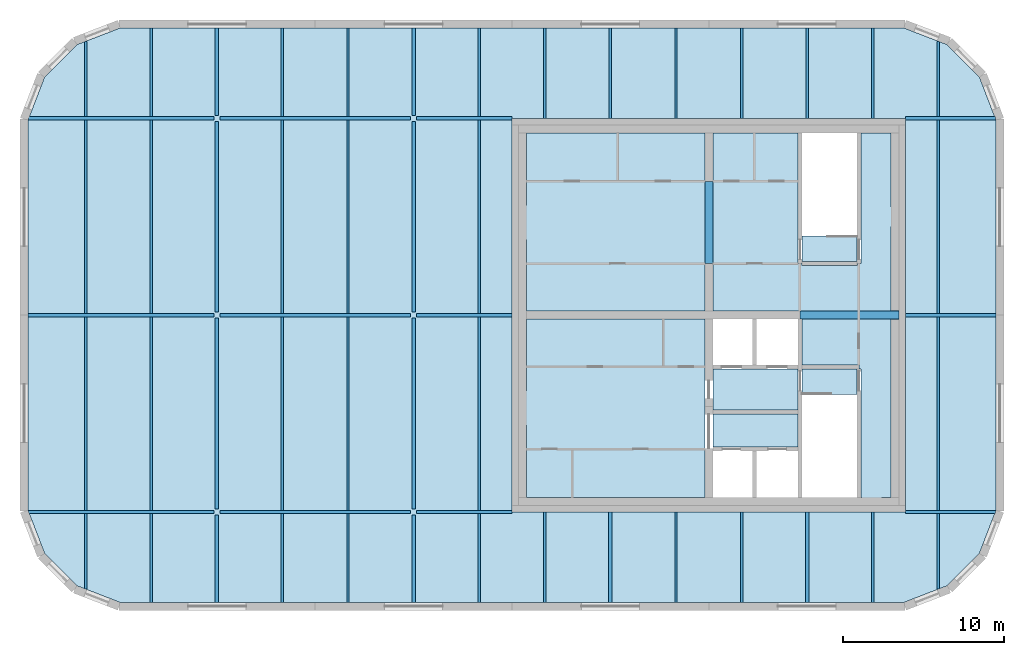
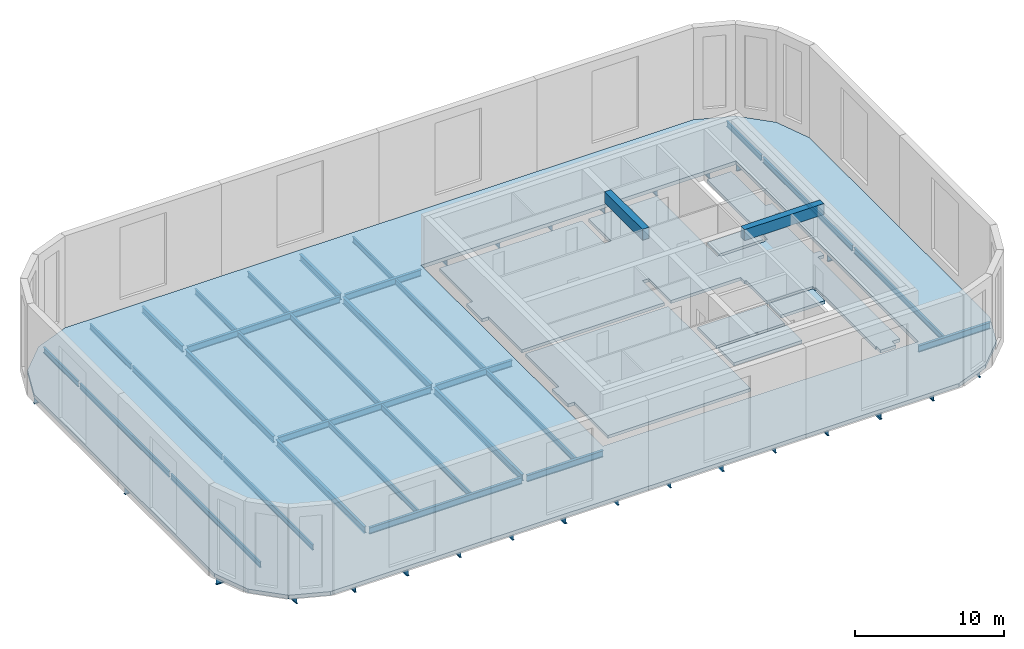
# One storey, part 1 of 6: 58 beams, 7 slabs.
"""IFC4 building model written with IfcOpenShell, lengths in metres."""

from ifc_helpers import new_model, si_unit, direction, frame, origin, origin_2d, place, context, subcontext, project, spatial, polyline, rectangle, i_section, outline, extrude, material, layer, layer_set, material_profile, profile_set, type_object, element, save


model = new_model("IFC4")

# Units and contexts
model_context = context("Model", 3, precision=1e-05, world=origin(), true_north=direction((0.0, 1.0)))
body_context = subcontext(model_context, "Body", "Model", "MODEL_VIEW")
ifc_project = project(units=[si_unit("LENGTHUNIT", "METRE"), si_unit("AREAUNIT", "SQUARE_METRE"), si_unit("VOLUMEUNIT", "CUBIC_METRE"), si_unit("PLANEANGLEUNIT", "RADIAN"), si_unit("MASSUNIT", "GRAM", prefix="KILO")], contexts=[model_context])

# Site, building, storey
site_placement = place(None, origin())
site = spatial("IfcSite", under=ifc_project, at=site_placement, CompositionType="ELEMENT")
building_placement = place(site_placement, origin())
building = spatial("IfcBuilding", under=site, at=building_placement, Name="Tessera Gate Towers", CompositionType="ELEMENT")
storey_placement = place(building_placement, frame((0.0, 0.0, 265.699951171875)))
storey = spatial("IfcBuildingStorey", under=building, at=storey_placement, Name="L66", CompositionType="ELEMENT", Elevation=265.699951171875)

# Beams
ifc_material_1 = material(Name="Concrete C40/50", Category="concrete")
ifc_material_profile_1 = material_profile(ifc_material_1, rectangle(XDim=0.5, YDim=0.89990234375, at=origin_2d()), Name="RC 500x900")
ifc_profile_set_1 = profile_set([ifc_material_profile_1], Name="Concrete C40/50")
beam_type_1 = type_object("IfcBeamType", Name="COUPLING BEAM 500x900 C40/50", PredefinedType="BEAM", material=ifc_profile_set_1)
beam_1_placement = place(storey_placement, frame((48.35009765625, 36.60009765625, 3.75), z_axis=(1.0, 0.0, 0.0), x_axis=(0.0, 1.0, 0.0)))
element("IfcBeam", 1, at=beam_1_placement, inside=storey, type_object=beam_type_1, Name="L66 coupling beam 1", PredefinedType="BEAM", context=body_context, shape_type="SweptSolid", body=[
    extrude(rectangle(XDim=0.5, YDim=0.89990234375, at=origin_2d()), origin(), (0.0, 0.0, 1.0), 6.14990234375),
])
beam_2_placement = place(storey_placement, frame((42.699951171875, 39.800048828125, 3.75), z_axis=(0.0, 1.0, 0.0), x_axis=(-1.0, 0.0, 0.0)))
element("IfcBeam", 2, at=beam_2_placement, inside=storey, type_object=beam_type_1, Name="L66 coupling beam 2", PredefinedType="BEAM", context=body_context, shape_type="SweptSolid", body=[
    extrude(rectangle(XDim=0.5, YDim=0.89990234375, at=origin_2d()), origin(), (0.0, 0.0, 1.0), 5.099853515625),
])
ifc_material_2 = material(Name="Steel 350W", Category="steel")
ifc_material_profile_2 = material_profile(ifc_material_2, i_section(OverallWidth=0.208984375, OverallDepth=0.532958984375, WebThickness=0.01025390625, FlangeThickness=0.015625, at=origin_2d()), Name="W530x92")
ifc_profile_set_2 = profile_set([ifc_material_profile_2], Name="Steel 350W")
beam_type_2 = type_object("IfcBeamType", Name="FLOOR GIRDER W530x92", PredefinedType="BEAM", material=ifc_profile_set_2)
beam_3_placement = place(storey_placement, frame((0.534912109375, 24.39990234375, -0.56640625), z_axis=(1.0, 0.0, 0.0), x_axis=(0.0, 1.0, 0.0)))
element("IfcBeam", 3, at=beam_3_placement, inside=storey, type_object=beam_type_2, Name="T1-R-GD-L66-6369", PredefinedType="BEAM", context=body_context, shape_type="SweptSolid", body=[
    extrude(i_section(OverallWidth=0.208984375, OverallDepth=0.532958984375, WebThickness=0.01025390625, FlangeThickness=0.015625, at=origin_2d()), origin(), (0.0, 0.0, 1.0), 11.48046875),
])
beam_4_placement = place(storey_placement, frame((12.384521484375, 24.39990234375, -0.56640625), z_axis=(1.0, 0.0, 0.0), x_axis=(0.0, 1.0, 0.0)))
element("IfcBeam", 4, at=beam_4_placement, inside=storey, type_object=beam_type_2, Name="T1-R-GD-L66-6370", PredefinedType="BEAM", context=body_context, shape_type="SweptSolid", body=[
    extrude(i_section(OverallWidth=0.208984375, OverallDepth=0.532958984375, WebThickness=0.01025390625, FlangeThickness=0.015625, at=origin_2d()), origin(), (0.0, 0.0, 1.0), 11.8310546875),
])
beam_5_placement = place(storey_placement, frame((24.58447265625, 24.39990234375, -0.56640625), z_axis=(1.0, 0.0, 0.0), x_axis=(0.0, 1.0, 0.0)))
element("IfcBeam", 5, at=beam_5_placement, inside=storey, type_object=beam_type_2, Name="T1-R-GD-L66-6371", PredefinedType="BEAM", context=body_context, shape_type="SweptSolid", body=[
    extrude(i_section(OverallWidth=0.208984375, OverallDepth=0.532958984375, WebThickness=0.01025390625, FlangeThickness=0.015625, at=origin_2d()), origin(), (0.0, 0.0, 1.0), 5.91455078125),
])
beam_6_placement = place(storey_placement, frame((54.90087890625, 24.39990234375, -0.56640625), z_axis=(1.0, 0.0, 0.0), x_axis=(0.0, 1.0, 0.0)))
element("IfcBeam", 6, at=beam_6_placement, inside=storey, type_object=beam_type_2, Name="T1-R-GD-L66-6372", PredefinedType="BEAM", context=body_context, shape_type="SweptSolid", body=[
    extrude(i_section(OverallWidth=0.208984375, OverallDepth=0.532958984375, WebThickness=0.01025390625, FlangeThickness=0.015625, at=origin_2d()), origin(), (0.0, 0.0, 1.0), 5.564208984375),
])
beam_7_placement = place(storey_placement, frame((0.4990234375, 36.60009765625, -0.56640625), z_axis=(1.0, 0.0, 0.0), x_axis=(0.0, 1.0, 0.0)))
element("IfcBeam", 7, at=beam_7_placement, inside=storey, type_object=beam_type_2, Name="T1-R-GD-L66-6373", PredefinedType="BEAM", context=body_context, shape_type="SweptSolid", body=[
    extrude(i_section(OverallWidth=0.208984375, OverallDepth=0.532958984375, WebThickness=0.01025390625, FlangeThickness=0.015625, at=origin_2d()), origin(), (0.0, 0.0, 1.0), 11.516357421875),
])
beam_8_placement = place(storey_placement, frame((12.384521484375, 36.60009765625, -0.56640625), z_axis=(1.0, 0.0, 0.0), x_axis=(0.0, 1.0, 0.0)))
element("IfcBeam", 8, at=beam_8_placement, inside=storey, type_object=beam_type_2, Name="T1-R-GD-L66-6374", PredefinedType="BEAM", context=body_context, shape_type="SweptSolid", body=[
    extrude(i_section(OverallWidth=0.208984375, OverallDepth=0.532958984375, WebThickness=0.01025390625, FlangeThickness=0.015625, at=origin_2d()), origin(), (0.0, 0.0, 1.0), 11.8310546875),
])
beam_9_placement = place(storey_placement, frame((24.58447265625, 36.60009765625, -0.56640625), z_axis=(1.0, 0.0, 0.0), x_axis=(0.0, 1.0, 0.0)))
element("IfcBeam", 9, at=beam_9_placement, inside=storey, type_object=beam_type_2, Name="T1-R-GD-L66-6375", PredefinedType="BEAM", context=body_context, shape_type="SweptSolid", body=[
    extrude(i_section(OverallWidth=0.208984375, OverallDepth=0.532958984375, WebThickness=0.01025390625, FlangeThickness=0.015625, at=origin_2d()), origin(), (0.0, 0.0, 1.0), 5.91650390625),
])
beam_10_placement = place(storey_placement, frame((54.89892578125, 36.60009765625, -0.56640625), z_axis=(1.0, 0.0, 0.0), x_axis=(0.0, 1.0, 0.0)))
element("IfcBeam", 10, at=beam_10_placement, inside=storey, type_object=beam_type_2, Name="T1-R-GD-L66-6376", PredefinedType="BEAM", context=body_context, shape_type="SweptSolid", body=[
    extrude(i_section(OverallWidth=0.208984375, OverallDepth=0.532958984375, WebThickness=0.01025390625, FlangeThickness=0.015625, at=origin_2d()), origin(), (0.0, 0.0, 1.0), 5.60205078125),
])
beam_11_placement = place(storey_placement, frame((0.534912109375, 48.800048828125, -0.56640625), z_axis=(1.0, 0.0, 0.0), x_axis=(0.0, 1.0, 0.0)))
element("IfcBeam", 11, at=beam_11_placement, inside=storey, type_object=beam_type_2, Name="T1-R-GD-L66-6377", PredefinedType="BEAM", context=body_context, shape_type="SweptSolid", body=[
    extrude(i_section(OverallWidth=0.208984375, OverallDepth=0.532958984375, WebThickness=0.01025390625, FlangeThickness=0.015625, at=origin_2d()), origin(), (0.0, 0.0, 1.0), 11.48046875),
])
beam_12_placement = place(storey_placement, frame((12.384521484375, 48.800048828125, -0.56640625), z_axis=(1.0, 0.0, 0.0), x_axis=(0.0, 1.0, 0.0)))
element("IfcBeam", 12, at=beam_12_placement, inside=storey, type_object=beam_type_2, Name="T1-R-GD-L66-6378", PredefinedType="BEAM", context=body_context, shape_type="SweptSolid", body=[
    extrude(i_section(OverallWidth=0.208984375, OverallDepth=0.532958984375, WebThickness=0.01025390625, FlangeThickness=0.015625, at=origin_2d()), origin(), (0.0, 0.0, 1.0), 11.8310546875),
])
beam_13_placement = place(storey_placement, frame((24.58447265625, 48.800048828125, -0.56640625), z_axis=(1.0, 0.0, 0.0), x_axis=(0.0, 1.0, 0.0)))
element("IfcBeam", 13, at=beam_13_placement, inside=storey, type_object=beam_type_2, Name="T1-R-GD-L66-6379", PredefinedType="BEAM", context=body_context, shape_type="SweptSolid", body=[
    extrude(i_section(OverallWidth=0.208984375, OverallDepth=0.532958984375, WebThickness=0.01025390625, FlangeThickness=0.015625, at=origin_2d()), origin(), (0.0, 0.0, 1.0), 5.91455078125),
])
beam_14_placement = place(storey_placement, frame((54.90087890625, 48.800048828125, -0.56640625), z_axis=(1.0, 0.0, 0.0), x_axis=(0.0, 1.0, 0.0)))
element("IfcBeam", 14, at=beam_14_placement, inside=storey, type_object=beam_type_2, Name="T1-R-GD-L66-6380", PredefinedType="BEAM", context=body_context, shape_type="SweptSolid", body=[
    extrude(i_section(OverallWidth=0.208984375, OverallDepth=0.532958984375, WebThickness=0.01025390625, FlangeThickness=0.015625, at=origin_2d()), origin(), (0.0, 0.0, 1.0), 5.564208984375),
])
beam_15_placement = place(storey_placement, frame((12.199951171875, 18.799072265625, -0.56640625), z_axis=(0.0, 1.0, 0.0), x_axis=(-1.0, 0.0, 0.0)))
element("IfcBeam", 15, at=beam_15_placement, inside=storey, type_object=beam_type_2, Name="T1-R-GD-L66-6381", PredefinedType="BEAM", context=body_context, shape_type="SweptSolid", body=[
    extrude(i_section(OverallWidth=0.208984375, OverallDepth=0.532958984375, WebThickness=0.01025390625, FlangeThickness=0.015625, at=origin_2d()), origin(), (0.0, 0.0, 1.0), 5.41650390625),
])
for number, where, z_axis, x_axis, name in (
    (16, (12.199951171875, 24.58447265625, -0.56640625), (0.0, 1.0, 0.0), (-1.0, 0.0, 0.0), "T1-R-GD-L66-6382"),
    (17, (12.199951171875, 36.784423828125, -0.56640625), (0.0, 1.0, 0.0), (-1.0, 0.0, 0.0), "T1-R-GD-L66-6383"),
):
    element("IfcBeam", number, at=place(storey_placement, frame(where, z_axis=z_axis, x_axis=x_axis)), inside=storey, type_object=beam_type_2, Name=name, PredefinedType="BEAM", context=body_context, shape_type="SweptSolid", body=[
        extrude(i_section(OverallWidth=0.208984375, OverallDepth=0.532958984375, WebThickness=0.01025390625, FlangeThickness=0.015625, at=origin_2d()), origin(), (0.0, 0.0, 1.0), 11.8310546875),
    ])
beam_16_placement = place(storey_placement, frame((12.199951171875, 48.984619140625, -0.56640625), z_axis=(0.0, 1.0, 0.0), x_axis=(-1.0, 0.0, 0.0)))
element("IfcBeam", 18, at=beam_16_placement, inside=storey, type_object=beam_type_2, Name="T1-R-GD-L66-6384", PredefinedType="BEAM", context=body_context, shape_type="SweptSolid", body=[
    extrude(i_section(OverallWidth=0.208984375, OverallDepth=0.532958984375, WebThickness=0.01025390625, FlangeThickness=0.015625, at=origin_2d()), origin(), (0.0, 0.0, 1.0), 5.416259765625),
])
beam_17_placement = place(storey_placement, frame((24.39990234375, 18.799072265625, -0.56640625), z_axis=(0.0, 1.0, 0.0), x_axis=(-1.0, 0.0, 0.0)))
element("IfcBeam", 19, at=beam_17_placement, inside=storey, type_object=beam_type_2, Name="T1-R-GD-L66-6385", PredefinedType="BEAM", context=body_context, shape_type="SweptSolid", body=[
    extrude(i_section(OverallWidth=0.208984375, OverallDepth=0.532958984375, WebThickness=0.01025390625, FlangeThickness=0.015625, at=origin_2d()), origin(), (0.0, 0.0, 1.0), 5.41650390625),
])
for number, where, z_axis, x_axis, name in (
    (20, (24.39990234375, 24.58447265625, -0.56640625), (0.0, 1.0, 0.0), (-1.0, 0.0, 0.0), "T1-R-GD-L66-6386"),
    (21, (24.39990234375, 36.784423828125, -0.56640625), (0.0, 1.0, 0.0), (-1.0, 0.0, 0.0), "T1-R-GD-L66-6387"),
):
    element("IfcBeam", number, at=place(storey_placement, frame(where, z_axis=z_axis, x_axis=x_axis)), inside=storey, type_object=beam_type_2, Name=name, PredefinedType="BEAM", context=body_context, shape_type="SweptSolid", body=[
        extrude(i_section(OverallWidth=0.208984375, OverallDepth=0.532958984375, WebThickness=0.01025390625, FlangeThickness=0.015625, at=origin_2d()), origin(), (0.0, 0.0, 1.0), 11.8310546875),
    ])
beam_18_placement = place(storey_placement, frame((24.39990234375, 48.984619140625, -0.56640625), z_axis=(0.0, 1.0, 0.0), x_axis=(-1.0, 0.0, 0.0)))
element("IfcBeam", 22, at=beam_18_placement, inside=storey, type_object=beam_type_2, Name="T1-R-GD-L66-6388", PredefinedType="BEAM", context=body_context, shape_type="SweptSolid", body=[
    extrude(i_section(OverallWidth=0.208984375, OverallDepth=0.532958984375, WebThickness=0.01025390625, FlangeThickness=0.015625, at=origin_2d()), origin(), (0.0, 0.0, 1.0), 5.416259765625),
])
for number, where, z_axis, x_axis, name in (
    (23, (36.60009765625, 18.799072265625, -0.56640625), (0.0, 1.0, 0.0), (-1.0, 0.0, 0.0), "T1-R-GD-L66-6389"),
    (24, (48.800048828125, 18.799072265625, -0.56640625), (0.0, 1.0, 0.0), (-1.0, 0.0, 0.0), "T1-R-GD-L66-6390"),
):
    element("IfcBeam", number, at=place(storey_placement, frame(where, z_axis=z_axis, x_axis=x_axis)), inside=storey, type_object=beam_type_2, Name=name, PredefinedType="BEAM", context=body_context, shape_type="SweptSolid", body=[
        extrude(i_section(OverallWidth=0.208984375, OverallDepth=0.532958984375, WebThickness=0.01025390625, FlangeThickness=0.015625, at=origin_2d()), origin(), (0.0, 0.0, 1.0), 5.600830078125),
    ])
ifc_material_3 = material(Name="Steel 350W", Category="steel")
ifc_material_profile_3 = material_profile(ifc_material_3, i_section(OverallWidth=0.153076171875, OverallDepth=0.455078125, WebThickness=0.008056640625, FlangeThickness=0.01318359375, at=origin_2d()), Name="W460x60")
ifc_profile_set_3 = profile_set([ifc_material_profile_3], Name="Steel 350W")
beam_type_3 = type_object("IfcBeamType", Name="FLOOR SECONDARY W460x60", PredefinedType="BEAM", material=ifc_profile_set_3)
beam_19_placement = place(storey_placement, frame((4.066650390625, 19.620361328125, -0.52734375), z_axis=(0.0, 1.0, 0.0), x_axis=(-1.0, 0.0, 0.0)))
element("IfcBeam", 25, at=beam_19_placement, inside=storey, type_object=beam_type_3, Name="T1-R-BM-L66-6391", PredefinedType="BEAM", context=body_context, shape_type="SweptSolid", body=[
    extrude(i_section(OverallWidth=0.153076171875, OverallDepth=0.455078125, WebThickness=0.008056640625, FlangeThickness=0.01318359375, at=origin_2d()), origin(), (0.0, 0.0, 1.0), 4.675048828125),
])
beam_20_placement = place(storey_placement, frame((4.066650390625, 24.50439453125, -0.52734375), z_axis=(0.0, 1.0, 0.0), x_axis=(-1.0, 0.0, 0.0)))
element("IfcBeam", 26, at=beam_20_placement, inside=storey, type_object=beam_type_3, Name="T1-R-BM-L66-6392", PredefinedType="BEAM", context=body_context, shape_type="SweptSolid", body=[
    extrude(i_section(OverallWidth=0.153076171875, OverallDepth=0.455078125, WebThickness=0.008056640625, FlangeThickness=0.01318359375, at=origin_2d()), origin(), (0.0, 0.0, 1.0), 11.9912109375),
])
beam_21_placement = place(storey_placement, frame((4.066650390625, 36.70458984375, -0.52734375), z_axis=(0.0, 1.0, 0.0), x_axis=(-1.0, 0.0, 0.0)))
element("IfcBeam", 27, at=beam_21_placement, inside=storey, type_object=beam_type_3, Name="T1-R-BM-L66-6393", PredefinedType="BEAM", context=body_context, shape_type="SweptSolid", body=[
    extrude(i_section(OverallWidth=0.153076171875, OverallDepth=0.455078125, WebThickness=0.008056640625, FlangeThickness=0.01318359375, at=origin_2d()), origin(), (0.0, 0.0, 1.0), 11.990966796875),
])
beam_22_placement = place(storey_placement, frame((4.066650390625, 48.904541015625, -0.52734375), z_axis=(0.0, 1.0, 0.0), x_axis=(-1.0, 0.0, 0.0)))
element("IfcBeam", 28, at=beam_22_placement, inside=storey, type_object=beam_type_3, Name="T1-R-BM-L66-6394", PredefinedType="BEAM", context=body_context, shape_type="SweptSolid", body=[
    extrude(i_section(OverallWidth=0.153076171875, OverallDepth=0.455078125, WebThickness=0.008056640625, FlangeThickness=0.01318359375, at=origin_2d()), origin(), (0.0, 0.0, 1.0), 4.675048828125),
])
beam_23_placement = place(storey_placement, frame((8.13330078125, 18.800048828125, -0.52734375), z_axis=(0.0, 1.0, 0.0), x_axis=(-1.0, 0.0, 0.0)))
element("IfcBeam", 29, at=beam_23_placement, inside=storey, type_object=beam_type_3, Name="T1-R-BM-L66-6395", PredefinedType="BEAM", context=body_context, shape_type="SweptSolid", body=[
    extrude(i_section(OverallWidth=0.153076171875, OverallDepth=0.455078125, WebThickness=0.008056640625, FlangeThickness=0.01318359375, at=origin_2d()), origin(), (0.0, 0.0, 1.0), 5.495361328125),
])
beam_24_placement = place(storey_placement, frame((8.13330078125, 24.50439453125, -0.52734375), z_axis=(0.0, 1.0, 0.0), x_axis=(-1.0, 0.0, 0.0)))
element("IfcBeam", 30, at=beam_24_placement, inside=storey, type_object=beam_type_3, Name="T1-R-BM-L66-6396", PredefinedType="BEAM", context=body_context, shape_type="SweptSolid", body=[
    extrude(i_section(OverallWidth=0.153076171875, OverallDepth=0.455078125, WebThickness=0.008056640625, FlangeThickness=0.01318359375, at=origin_2d()), origin(), (0.0, 0.0, 1.0), 11.9912109375),
])
beam_25_placement = place(storey_placement, frame((8.13330078125, 36.70458984375, -0.52734375), z_axis=(0.0, 1.0, 0.0), x_axis=(-1.0, 0.0, 0.0)))
element("IfcBeam", 31, at=beam_25_placement, inside=storey, type_object=beam_type_3, Name="T1-R-BM-L66-6397", PredefinedType="BEAM", context=body_context, shape_type="SweptSolid", body=[
    extrude(i_section(OverallWidth=0.153076171875, OverallDepth=0.455078125, WebThickness=0.008056640625, FlangeThickness=0.01318359375, at=origin_2d()), origin(), (0.0, 0.0, 1.0), 11.990966796875),
])
for number, where, z_axis, x_axis, name in (
    (32, (8.13330078125, 48.904541015625, -0.52734375), (0.0, 1.0, 0.0), (-1.0, 0.0, 0.0), "T1-R-BM-L66-6398"),
    (33, (16.2666015625, 18.800048828125, -0.52734375), (0.0, 1.0, 0.0), (-1.0, 0.0, 0.0), "T1-R-BM-L66-6399"),
):
    element("IfcBeam", number, at=place(storey_placement, frame(where, z_axis=z_axis, x_axis=x_axis)), inside=storey, type_object=beam_type_3, Name=name, PredefinedType="BEAM", context=body_context, shape_type="SweptSolid", body=[
        extrude(i_section(OverallWidth=0.153076171875, OverallDepth=0.455078125, WebThickness=0.008056640625, FlangeThickness=0.01318359375, at=origin_2d()), origin(), (0.0, 0.0, 1.0), 5.495361328125),
    ])
beam_26_placement = place(storey_placement, frame((16.2666015625, 24.50439453125, -0.52734375), z_axis=(0.0, 1.0, 0.0), x_axis=(-1.0, 0.0, 0.0)))
element("IfcBeam", 34, at=beam_26_placement, inside=storey, type_object=beam_type_3, Name="T1-R-BM-L66-6400", PredefinedType="BEAM", context=body_context, shape_type="SweptSolid", body=[
    extrude(i_section(OverallWidth=0.153076171875, OverallDepth=0.455078125, WebThickness=0.008056640625, FlangeThickness=0.01318359375, at=origin_2d()), origin(), (0.0, 0.0, 1.0), 11.9912109375),
])
beam_27_placement = place(storey_placement, frame((16.2666015625, 36.70458984375, -0.52734375), z_axis=(0.0, 1.0, 0.0), x_axis=(-1.0, 0.0, 0.0)))
element("IfcBeam", 35, at=beam_27_placement, inside=storey, type_object=beam_type_3, Name="T1-R-BM-L66-6401", PredefinedType="BEAM", context=body_context, shape_type="SweptSolid", body=[
    extrude(i_section(OverallWidth=0.153076171875, OverallDepth=0.455078125, WebThickness=0.008056640625, FlangeThickness=0.01318359375, at=origin_2d()), origin(), (0.0, 0.0, 1.0), 11.990966796875),
])
for number, where, z_axis, x_axis, name in (
    (36, (16.2666015625, 48.904541015625, -0.52734375), (0.0, 1.0, 0.0), (-1.0, 0.0, 0.0), "T1-R-BM-L66-6402"),
    (37, (20.333251953125, 18.800048828125, -0.52734375), (0.0, 1.0, 0.0), (-1.0, 0.0, 0.0), "T1-R-BM-L66-6403"),
):
    element("IfcBeam", number, at=place(storey_placement, frame(where, z_axis=z_axis, x_axis=x_axis)), inside=storey, type_object=beam_type_3, Name=name, PredefinedType="BEAM", context=body_context, shape_type="SweptSolid", body=[
        extrude(i_section(OverallWidth=0.153076171875, OverallDepth=0.455078125, WebThickness=0.008056640625, FlangeThickness=0.01318359375, at=origin_2d()), origin(), (0.0, 0.0, 1.0), 5.495361328125),
    ])
beam_28_placement = place(storey_placement, frame((20.333251953125, 24.50439453125, -0.52734375), z_axis=(0.0, 1.0, 0.0), x_axis=(-1.0, 0.0, 0.0)))
element("IfcBeam", 38, at=beam_28_placement, inside=storey, type_object=beam_type_3, Name="T1-R-BM-L66-6404", PredefinedType="BEAM", context=body_context, shape_type="SweptSolid", body=[
    extrude(i_section(OverallWidth=0.153076171875, OverallDepth=0.455078125, WebThickness=0.008056640625, FlangeThickness=0.01318359375, at=origin_2d()), origin(), (0.0, 0.0, 1.0), 11.9912109375),
])
beam_29_placement = place(storey_placement, frame((20.333251953125, 36.70458984375, -0.52734375), z_axis=(0.0, 1.0, 0.0), x_axis=(-1.0, 0.0, 0.0)))
element("IfcBeam", 39, at=beam_29_placement, inside=storey, type_object=beam_type_3, Name="T1-R-BM-L66-6405", PredefinedType="BEAM", context=body_context, shape_type="SweptSolid", body=[
    extrude(i_section(OverallWidth=0.153076171875, OverallDepth=0.455078125, WebThickness=0.008056640625, FlangeThickness=0.01318359375, at=origin_2d()), origin(), (0.0, 0.0, 1.0), 11.990966796875),
])
for number, where, z_axis, x_axis, name in (
    (40, (20.333251953125, 48.904541015625, -0.52734375), (0.0, 1.0, 0.0), (-1.0, 0.0, 0.0), "T1-R-BM-L66-6406"),
    (41, (28.466796875, 18.800048828125, -0.52734375), (0.0, 1.0, 0.0), (-1.0, 0.0, 0.0), "T1-R-BM-L66-6407"),
):
    element("IfcBeam", number, at=place(storey_placement, frame(where, z_axis=z_axis, x_axis=x_axis)), inside=storey, type_object=beam_type_3, Name=name, PredefinedType="BEAM", context=body_context, shape_type="SweptSolid", body=[
        extrude(i_section(OverallWidth=0.153076171875, OverallDepth=0.455078125, WebThickness=0.008056640625, FlangeThickness=0.01318359375, at=origin_2d()), origin(), (0.0, 0.0, 1.0), 5.495361328125),
    ])
beam_30_placement = place(storey_placement, frame((28.466796875, 24.50439453125, -0.52734375), z_axis=(0.0, 1.0, 0.0), x_axis=(-1.0, 0.0, 0.0)))
element("IfcBeam", 42, at=beam_30_placement, inside=storey, type_object=beam_type_3, Name="T1-R-BM-L66-6408", PredefinedType="BEAM", context=body_context, shape_type="SweptSolid", body=[
    extrude(i_section(OverallWidth=0.153076171875, OverallDepth=0.455078125, WebThickness=0.008056640625, FlangeThickness=0.01318359375, at=origin_2d()), origin(), (0.0, 0.0, 1.0), 11.9912109375),
])
beam_31_placement = place(storey_placement, frame((28.466796875, 36.70458984375, -0.52734375), z_axis=(0.0, 1.0, 0.0), x_axis=(-1.0, 0.0, 0.0)))
element("IfcBeam", 43, at=beam_31_placement, inside=storey, type_object=beam_type_3, Name="T1-R-BM-L66-6409", PredefinedType="BEAM", context=body_context, shape_type="SweptSolid", body=[
    extrude(i_section(OverallWidth=0.153076171875, OverallDepth=0.455078125, WebThickness=0.008056640625, FlangeThickness=0.01318359375, at=origin_2d()), origin(), (0.0, 0.0, 1.0), 11.990966796875),
])
beam_32_placement = place(storey_placement, frame((28.466796875, 48.904541015625, -0.52734375), z_axis=(0.0, 1.0, 0.0), x_axis=(-1.0, 0.0, 0.0)))
element("IfcBeam", 44, at=beam_32_placement, inside=storey, type_object=beam_type_3, Name="T1-R-BM-L66-6410", PredefinedType="BEAM", context=body_context, shape_type="SweptSolid", body=[
    extrude(i_section(OverallWidth=0.153076171875, OverallDepth=0.455078125, WebThickness=0.008056640625, FlangeThickness=0.01318359375, at=origin_2d()), origin(), (0.0, 0.0, 1.0), 5.495361328125),
])
for number, where, z_axis, x_axis, name in (
    (45, (32.533203125, 18.800048828125, -0.52734375), (0.0, 1.0, 0.0), (-1.0, 0.0, 0.0), "T1-R-BM-L66-6411"),
    (46, (32.533203125, 48.800048828125, -0.52734375), (0.0, 1.0, 0.0), (-1.0, 0.0, 0.0), "T1-R-BM-L66-6412"),
    (47, (36.60009765625, 48.800048828125, -0.52734375), (0.0, 1.0, 0.0), (-1.0, 0.0, 0.0), "T1-R-BM-L66-6413"),
    (48, (40.666748046875, 18.800048828125, -0.52734375), (0.0, 1.0, 0.0), (-1.0, 0.0, 0.0), "T1-R-BM-L66-6414"),
    (49, (40.666748046875, 48.800048828125, -0.52734375), (0.0, 1.0, 0.0), (-1.0, 0.0, 0.0), "T1-R-BM-L66-6415"),
    (50, (44.7333984375, 18.800048828125, -0.52734375), (0.0, 1.0, 0.0), (-1.0, 0.0, 0.0), "T1-R-BM-L66-6416"),
    (51, (44.7333984375, 48.800048828125, -0.52734375), (0.0, 1.0, 0.0), (-1.0, 0.0, 0.0), "T1-R-BM-L66-6417"),
    (52, (48.800048828125, 48.800048828125, -0.52734375), (0.0, 1.0, 0.0), (-1.0, 0.0, 0.0), "T1-R-BM-L66-6418"),
    (53, (52.86669921875, 18.800048828125, -0.52734375), (0.0, 1.0, 0.0), (-1.0, 0.0, 0.0), "T1-R-BM-L66-6419"),
    (54, (52.86669921875, 48.800048828125, -0.52734375), (0.0, 1.0, 0.0), (-1.0, 0.0, 0.0), "T1-R-BM-L66-6420"),
):
    element("IfcBeam", number, at=place(storey_placement, frame(where, z_axis=z_axis, x_axis=x_axis)), inside=storey, type_object=beam_type_3, Name=name, PredefinedType="BEAM", context=body_context, shape_type="SweptSolid", body=[
        extrude(i_section(OverallWidth=0.153076171875, OverallDepth=0.455078125, WebThickness=0.008056640625, FlangeThickness=0.01318359375, at=origin_2d()), origin(), (0.0, 0.0, 1.0), 5.599853515625),
    ])
beam_33_placement = place(storey_placement, frame((56.933349609375, 19.620361328125, -0.52734375), z_axis=(0.0, 1.0, 0.0), x_axis=(-1.0, 0.0, 0.0)))
element("IfcBeam", 55, at=beam_33_placement, inside=storey, type_object=beam_type_3, Name="T1-R-BM-L66-6421", PredefinedType="BEAM", context=body_context, shape_type="SweptSolid", body=[
    extrude(i_section(OverallWidth=0.153076171875, OverallDepth=0.455078125, WebThickness=0.008056640625, FlangeThickness=0.01318359375, at=origin_2d()), origin(), (0.0, 0.0, 1.0), 4.675048828125),
])
beam_34_placement = place(storey_placement, frame((56.933349609375, 24.50439453125, -0.52734375), z_axis=(0.0, 1.0, 0.0), x_axis=(-1.0, 0.0, 0.0)))
element("IfcBeam", 56, at=beam_34_placement, inside=storey, type_object=beam_type_3, Name="T1-R-BM-L66-6422", PredefinedType="BEAM", context=body_context, shape_type="SweptSolid", body=[
    extrude(i_section(OverallWidth=0.153076171875, OverallDepth=0.455078125, WebThickness=0.008056640625, FlangeThickness=0.01318359375, at=origin_2d()), origin(), (0.0, 0.0, 1.0), 11.9912109375),
])
beam_35_placement = place(storey_placement, frame((56.933349609375, 36.70458984375, -0.52734375), z_axis=(0.0, 1.0, 0.0), x_axis=(-1.0, 0.0, 0.0)))
element("IfcBeam", 57, at=beam_35_placement, inside=storey, type_object=beam_type_3, Name="T1-R-BM-L66-6423", PredefinedType="BEAM", context=body_context, shape_type="SweptSolid", body=[
    extrude(i_section(OverallWidth=0.153076171875, OverallDepth=0.455078125, WebThickness=0.008056640625, FlangeThickness=0.01318359375, at=origin_2d()), origin(), (0.0, 0.0, 1.0), 11.990966796875),
])
beam_36_placement = place(storey_placement, frame((56.933349609375, 48.904541015625, -0.52734375), z_axis=(0.0, 1.0, 0.0), x_axis=(-1.0, 0.0, 0.0)))
element("IfcBeam", 58, at=beam_36_placement, inside=storey, type_object=beam_type_3, Name="T1-R-BM-L66-6424", PredefinedType="BEAM", context=body_context, shape_type="SweptSolid", body=[
    extrude(i_section(OverallWidth=0.153076171875, OverallDepth=0.455078125, WebThickness=0.008056640625, FlangeThickness=0.01318359375, at=origin_2d()), origin(), (0.0, 0.0, 1.0), 4.675048828125),
])

# Slabs
ifc_material_4 = material(Name="Concrete C35/45", Category="concrete")
ifc_layer_1 = layer(ifc_material_4, 0.25)
ifc_layer_set_1 = layer_set([ifc_layer_1], Name="CORE FLOOR SLAB 250")
slab_type_1 = type_object("IfcSlabType", Name="CORE FLOOR SLAB 250", PredefinedType="FLOOR", material=ifc_layer_set_1)
slab_1_placement = place(storey_placement, frame((0.0, 0.0, -0.25)))
element("IfcSlab", 59, at=slab_1_placement, inside=storey, type_object=slab_type_1, Name="L66 core floor slab", PredefinedType="FLOOR", context=body_context, shape_type="SweptSolid", body=[
    extrude(outline(polyline([(54.0, 47.89990234375), (52.125, 47.89990234375), (52.125, 39.800048828125), (51.875, 39.800048828125), (51.875, 39.675048828125), (48.47509765625, 39.675048828125), (48.47509765625, 39.800048828125), (48.22509765625, 39.800048828125), (48.22509765625, 47.89990234375), (42.949951171875, 47.89990234375), (42.949951171875, 44.89990234375), (42.449951171875, 44.89990234375), (42.449951171875, 47.89990234375), (31.39990234375, 47.89990234375), (31.39990234375, 43.39990234375), (30.89990234375, 43.39990234375), (30.89990234375, 41.300048828125), (31.39990234375, 41.300048828125), (31.39990234375, 36.85009765625), (42.449951171875, 36.85009765625), (42.449951171875, 39.800048828125), (42.949951171875, 39.800048828125), (42.949951171875, 36.85009765625), (48.35009765625, 36.85009765625), (48.35009765625, 36.35009765625), (48.47509765625, 36.35009765625), (48.47509765625, 33.52490234375), (52.0, 33.52490234375), (52.0, 33.27490234375), (52.125, 33.27490234375), (52.125, 25.300048828125), (52.199951171875, 25.300048828125), (52.199951171875, 24.800048828125), (53.39990234375, 24.800048828125), (53.39990234375, 25.300048828125), (54.0, 25.300048828125), (54.0, 36.320068359375), (54.5, 36.320068359375), (54.5, 36.8798828125), (54.0, 36.8798828125), (54.0, 42.10009765625), (54.5, 42.10009765625), (54.5, 43.300048828125), (54.0, 43.300048828125), (54.0, 47.89990234375)])), origin(), (0.0, 0.0, 1.0), 0.25),
])
slab_2_placement = place(storey_placement, frame((0.0, 0.0, -0.25)))
element("IfcSlab", 60, at=slab_2_placement, inside=storey, type_object=slab_type_1, Name="L66 core floor slab", PredefinedType="FLOOR", context=body_context, shape_type="SweptSolid", body=[
    extrude(outline(polyline([(31.39990234375, 29.800048828125), (31.39990234375, 25.300048828125), (42.449951171875, 25.300048828125), (42.449951171875, 36.35009765625), (31.39990234375, 36.35009765625), (31.39990234375, 31.89990234375), (30.89990234375, 31.89990234375), (30.89990234375, 29.800048828125), (31.39990234375, 29.800048828125)])), origin(), (0.0, 0.0, 1.0), 0.25),
])
slab_3_placement = place(storey_placement, frame((0.0, 0.0, -0.25)))
element("IfcSlab", 61, at=slab_3_placement, inside=storey, type_object=slab_type_1, Name="L66 core floor slab", PredefinedType="FLOOR", context=body_context, shape_type="SweptSolid", body=[
    extrude(outline(polyline([(48.22509765625, 33.27490234375), (42.949951171875, 33.27490234375), (42.949951171875, 30.72509765625), (48.22509765625, 30.72509765625), (48.22509765625, 33.27490234375)])), origin(), (0.0, 0.0, 1.0), 0.25),
])
slab_4_placement = place(storey_placement, frame((0.0, 0.0, -0.25)))
element("IfcSlab", 62, at=slab_4_placement, inside=storey, type_object=slab_type_1, Name="L66 core floor slab", PredefinedType="FLOOR", context=body_context, shape_type="SweptSolid", body=[
    extrude(outline(polyline([(42.949951171875, 30.47509765625), (42.949951171875, 28.425048828125), (48.22509765625, 28.425048828125), (48.22509765625, 30.47509765625), (42.949951171875, 30.47509765625)])), origin(), (0.0, 0.0, 1.0), 0.25),
])
slab_5_placement = place(storey_placement, frame((0.0, 0.0, -0.25)))
element("IfcSlab", 63, at=slab_5_placement, inside=storey, type_object=slab_type_1, Name="L66 core floor slab", PredefinedType="FLOOR", context=body_context, shape_type="SweptSolid", body=[
    extrude(outline(polyline([(48.47509765625, 31.675048828125), (51.875, 31.675048828125), (51.875, 33.27490234375), (48.47509765625, 33.27490234375), (48.47509765625, 31.675048828125)])), origin(), (0.0, 0.0, 1.0), 0.25),
])
slab_6_placement = place(storey_placement, frame((0.0, 0.0, -0.25)))
element("IfcSlab", 64, at=slab_6_placement, inside=storey, type_object=slab_type_1, Name="L66 core floor slab", PredefinedType="FLOOR", context=body_context, shape_type="SweptSolid", body=[
    extrude(outline(polyline([(51.875, 41.52490234375), (48.47509765625, 41.52490234375), (48.47509765625, 39.925048828125), (51.875, 39.925048828125), (51.875, 41.52490234375)])), origin(), (0.0, 0.0, 1.0), 0.25),
])
ifc_material_5 = material(Name="Concrete C35/45", Category="concrete")
ifc_layer_2 = layer(ifc_material_5, 0.300048828125)
ifc_layer_set_2 = layer_set([ifc_layer_2], Name="ROOF SLAB 300")
slab_type_2 = type_object("IfcSlabType", Name="ROOF SLAB 300", PredefinedType="ROOF", material=ifc_layer_set_2)
slab_7_placement = place(storey_placement, frame((0.0, 0.0, -0.300048828125)))
element("IfcSlab", 65, at=slab_7_placement, inside=storey, type_object=slab_type_2, Name="T1-CANOPY", PredefinedType="ROOF", context=body_context, shape_type="SweptSolid", body=[
    extrude(outline(polyline([(0.5, 24.4931640625), (1.526123046875, 21.8330078125), (3.533203125, 19.826171875), (6.193115234375, 18.800048828125), (54.806884765625, 18.800048828125), (57.466796875, 19.826171875), (59.473876953125, 21.8330078125), (60.5, 24.4931640625), (60.5, 48.706787109375), (59.473876953125, 51.366943359375), (57.466796875, 53.373779296875), (54.806884765625, 54.39990234375), (6.193115234375, 54.39990234375), (3.533203125, 53.373779296875), (1.526123046875, 51.366943359375), (0.5, 48.706787109375), (0.5, 24.4931640625)]), holes=[polyline([(30.5, 24.39990234375), (30.5, 48.800048828125), (54.89990234375, 48.800048828125), (54.89990234375, 24.39990234375), (30.5, 24.39990234375)])]), origin(), (0.0, 0.0, 1.0), 0.300048828125),
])

save(model, "model.ifc")
